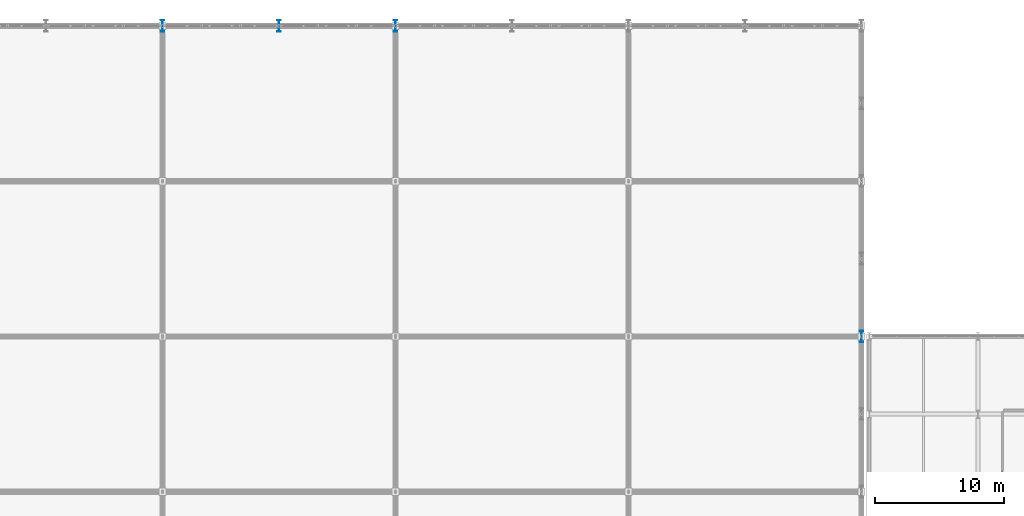
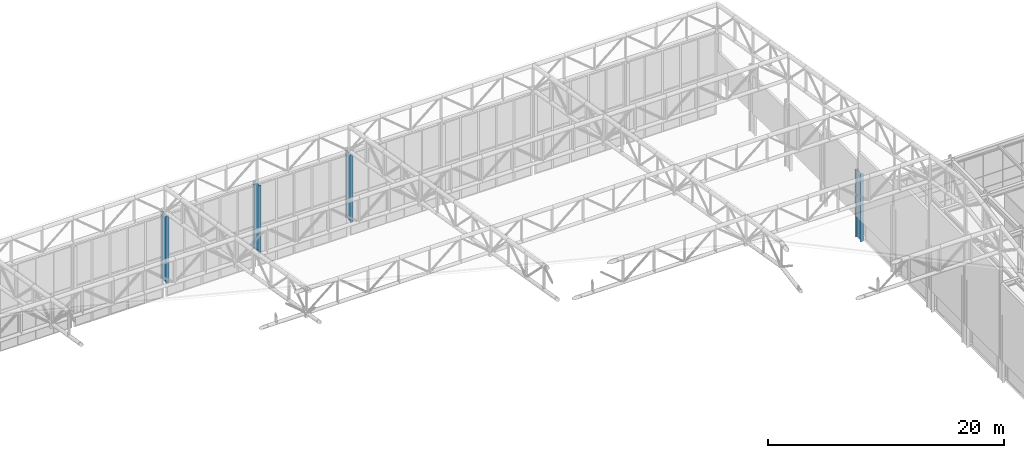
# One storey, part 14 of 239: 4 columns.
"""IFC4 building model written with IfcOpenShell, lengths in metres."""

from ifc_helpers import new_model, si_unit, direction, frame, origin, origin_2d, place, context, subcontext, project, spatial, i_section, extrude, material, material_profile, profile_set, type_object, element, save


model = new_model("IFC4")

# Units and contexts
model_context = context("Model", 3, precision=1e-05, world=origin(), true_north=direction((0.0, 1.0)))
body_context = subcontext(model_context, "Body", "Model", "MODEL_VIEW")
ifc_project = project(units=[si_unit("LENGTHUNIT", "METRE"), si_unit("AREAUNIT", "SQUARE_METRE"), si_unit("VOLUMEUNIT", "CUBIC_METRE"), si_unit("PLANEANGLEUNIT", "RADIAN"), si_unit("MASSUNIT", "GRAM", prefix="KILO")], contexts=[model_context])

# Site, building, storey
site_placement = place(None, origin())
site = spatial("IfcSite", under=ifc_project, at=site_placement, CompositionType="ELEMENT")
building_placement = place(site_placement, origin())
building = spatial("IfcBuilding", under=site, at=building_placement, Name="Kaldris Quays Convention Centre", CompositionType="ELEMENT")
storey_placement = place(building_placement, frame((0.0, 0.0, 11.39990234375)))
storey = spatial("IfcBuildingStorey", under=building, at=storey_placement, Name="L02", CompositionType="ELEMENT", Elevation=11.39990234375)

# Columns
ifc_material = material(Name="Steel S355J2", Category="steel")
ifc_material_profile = material_profile(ifc_material, i_section(OverallWidth=0.300048828125, OverallDepth=0.89990234375, WebThickness=0.0185546875, FlangeThickness=0.034912109375, FilletRadius=0.030029296875, at=origin_2d()), Name="HEB 900")
ifc_profile_set = profile_set([ifc_material_profile], Name="Steel S355J2")
column_type = type_object("IfcColumnType", Name="STRUCTURAL COLUMN CL03", PredefinedType="COLUMN", material=ifc_profile_set)
for number, where, z_axis, x_axis, name in (
    (1, (92.0, 140.0, 0.0), (0.0, 0.0, 1.0), (1.0, 0.0, 0.0), "L02 V1 Column CL03 (92.00, 140.00)"),
    (2, (101.0, 140.0, 0.0), (0.0, 0.0, 1.0), (1.0, 0.0, 0.0), "L02 V1 Column CL03 (101.00, 140.00)"),
    (3, (110.0, 140.0, 0.0), (0.0, 0.0, 1.0), (1.0, 0.0, 0.0), "L02 V1 Column CL03 (110.00, 140.00)"),
    (4, (146.0, 116.0, 0.0), (0.0, 0.0, 1.0), (1.0, 0.0, 0.0), "L02 V1 Column CL03 (146.00, 116.00)"),
):
    element("IfcColumn", number, at=place(storey_placement, frame(where, z_axis=z_axis, x_axis=x_axis)), inside=storey, type_object=column_type, Name=name, PredefinedType="COLUMN", context=body_context, shape_type="SweptSolid", body=[
        extrude(i_section(OverallWidth=0.300048828125, OverallDepth=0.89990234375, WebThickness=0.0185546875, FlangeThickness=0.034912109375, FilletRadius=0.030029296875, at=origin_2d()), origin(), (0.0, 0.0, 1.0), 7.0),
    ])

save(model, "model.ifc")
